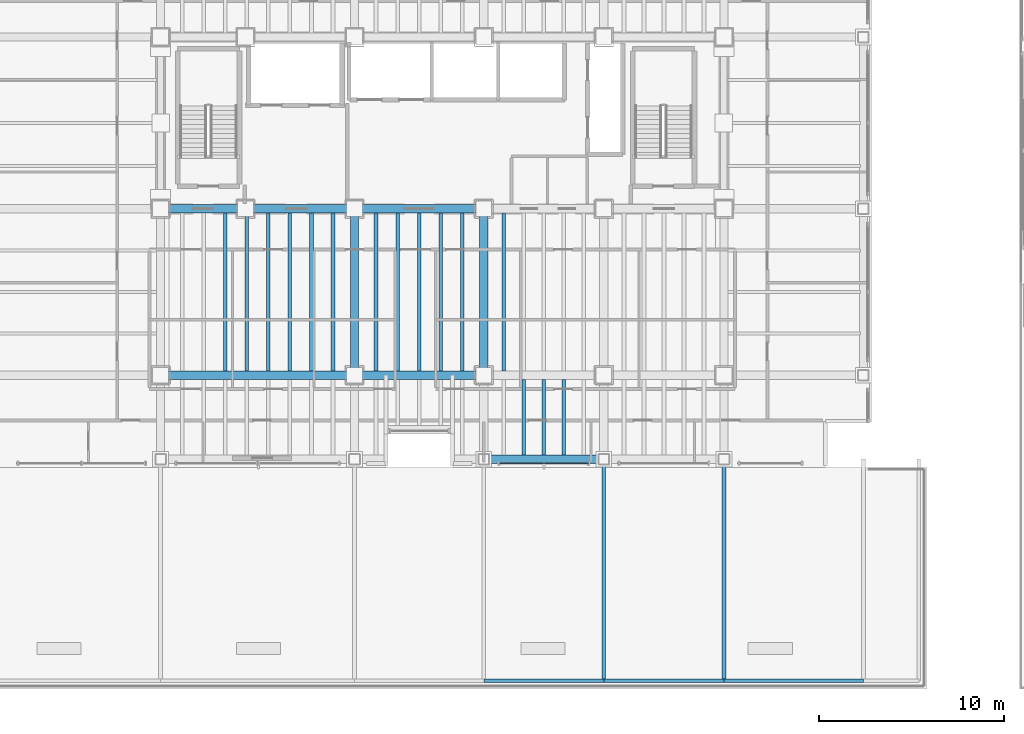
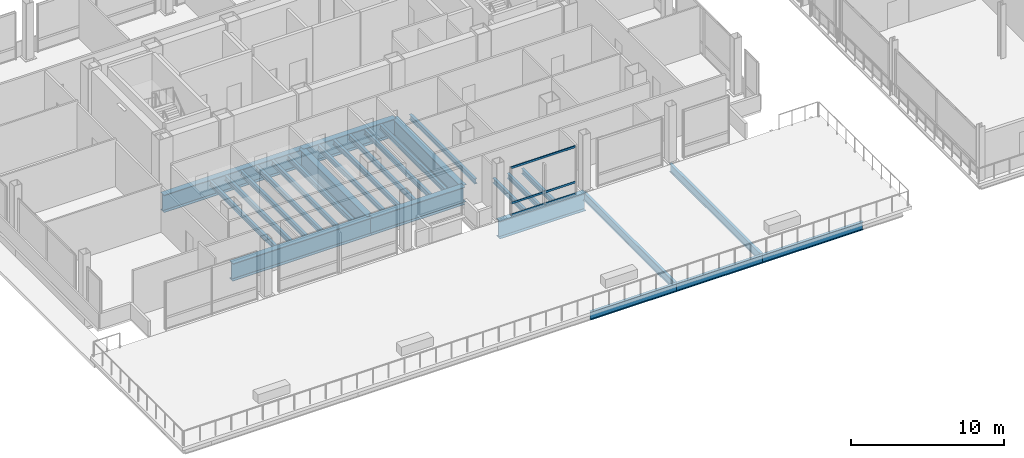
# One storey, part 10 of 34: 27 beams, 3 members, 1 element without a shape of its own.
"""IFC4 building model written with IfcOpenShell, lengths in metres."""

from ifc_helpers import new_model, si_unit, direction, frame, origin, origin_2d, place, context, subcontext, project, spatial, hollow_rectangle, i_section, extrude, material, material_profile, profile_set, type_object, element, aggregate, save


model = new_model("IFC4")

# Units and contexts
model_context = context("Model", 3, precision=1e-05, world=origin(), true_north=direction((0.0, 1.0)))
body_context = subcontext(model_context, "Body", "Model", "MODEL_VIEW")
ifc_project = project(units=[si_unit("LENGTHUNIT", "METRE"), si_unit("AREAUNIT", "SQUARE_METRE"), si_unit("VOLUMEUNIT", "CUBIC_METRE"), si_unit("PLANEANGLEUNIT", "RADIAN"), si_unit("MASSUNIT", "GRAM", prefix="KILO")], contexts=[model_context])

# Site, building, storey
site_placement = place(None, origin())
site = spatial("IfcSite", under=ifc_project, at=site_placement, CompositionType="ELEMENT")
building_placement = place(site_placement, origin())
building = spatial("IfcBuilding", under=site, at=building_placement, Name="Noeulbin Bourse Tower", CompositionType="ELEMENT")
storey_placement = place(building_placement, frame((0.0, 0.0, 22.0)))
storey = spatial("IfcBuildingStorey", under=building, at=storey_placement, Name="L05", CompositionType="ELEMENT", Elevation=22.0)

# Beams
ifc_material_1 = material(Name="Steel S355", Category="steel")
ifc_material_profile_1 = material_profile(ifc_material_1, i_section(OverallWidth=0.199951171875, OverallDepth=0.64990234375, WebThickness=0.010986328125, FlangeThickness=0.01904296875, FilletRadius=0.02197265625, at=origin_2d()), Name="H-650x200x11x19", Category="LoadBearing")
ifc_profile_set_1 = profile_set([ifc_material_profile_1], Name="Steel S355")
beam_type_1 = type_object("IfcBeamType", Name="BM-GRD-650", PredefinedType="USERDEFINED", material=ifc_profile_set_1)
for number, where, z_axis, x_axis, name in (
    (1, (31.0, 3.449951171875, -0.574951171875), (1.0, 0.0, 0.0), (0.0, 1.0, 0.0), "BM-L05-PTER-EW5"),
    (2, (37.5, 3.449951171875, -0.574951171875), (1.0, 0.0, 0.0), (0.0, 1.0, 0.0), "BM-L05-PTER-EW6"),
):
    element("IfcBeam", number, at=place(storey_placement, frame(where, z_axis=z_axis, x_axis=x_axis)), inside=storey, type_object=beam_type_1, Name=name, ObjectType="GIRDER", PredefinedType="USERDEFINED", context=body_context, shape_type="SweptSolid", body=[
        extrude(i_section(OverallWidth=0.199951171875, OverallDepth=0.64990234375, WebThickness=0.010986328125, FlangeThickness=0.01904296875, FilletRadius=0.02197265625, at=origin_2d()), origin(), (0.0, 0.0, 1.0), 6.5),
    ])
beam_1_placement = place(storey_placement, frame((44.0, 3.449951171875, -0.574951171875), z_axis=(1.0, 0.0, 0.0), x_axis=(0.0, 1.0, 0.0)))
element("IfcBeam", 3, at=beam_1_placement, inside=storey, type_object=beam_type_1, Name="BM-L05-PTER-EW7", ObjectType="GIRDER", PredefinedType="USERDEFINED", context=body_context, shape_type="SweptSolid", body=[
    extrude(i_section(OverallWidth=0.199951171875, OverallDepth=0.64990234375, WebThickness=0.010986328125, FlangeThickness=0.01904296875, FilletRadius=0.02197265625, at=origin_2d()), origin(), (0.0, 0.0, 1.0), 7.550048828125),
])
for number, where, z_axis, x_axis, name in (
    (4, (37.5, 3.449951171875, -0.574951171875), (0.0, 1.0, 0.0), (-1.0, 0.0, 0.0), "BM-L05-PTER-NS6"),
    (5, (44.0, 3.449951171875, -0.574951171875), (0.0, 1.0, 0.0), (-1.0, 0.0, 0.0), "BM-L05-PTER-NS7"),
):
    element("IfcBeam", number, at=place(storey_placement, frame(where, z_axis=z_axis, x_axis=x_axis)), inside=storey, type_object=beam_type_1, Name=name, ObjectType="GIRDER", PredefinedType="USERDEFINED", context=body_context, shape_type="SweptSolid", body=[
        extrude(i_section(OverallWidth=0.199951171875, OverallDepth=0.64990234375, WebThickness=0.010986328125, FlangeThickness=0.01904296875, FilletRadius=0.02197265625, at=origin_2d()), origin(), (0.0, 0.0, 1.0), 12.0),
    ])
ifc_material_profile_2 = material_profile(ifc_material_1, i_section(OverallWidth=0.199951171875, OverallDepth=0.39990234375, WebThickness=0.008056640625, FlangeThickness=0.012939453125, FilletRadius=0.01611328125, at=origin_2d()), Name="H-400x200x8x13", Category="LoadBearing")
ifc_profile_set_2 = profile_set([ifc_material_profile_2], Name="Steel S355")
beam_type_2 = type_object("IfcBeamType", Name="BM-SEC-400", PredefinedType="BEAM", material=ifc_profile_set_2)
for number, where, z_axis, x_axis, name in (
    (6, (17.0, 20.22509765625, -0.43994140625), (0.0, 1.0, 0.0), (-1.0, 0.0, 0.0), "Tower Composite Joist L05-08"),
    (7, (18.166748046875, 20.22509765625, -0.43994140625), (0.0, 1.0, 0.0), (-1.0, 0.0, 0.0), "Tower Composite Joist L05-11"),
    (8, (19.333251953125, 20.22509765625, -0.43994140625), (0.0, 1.0, 0.0), (-1.0, 0.0, 0.0), "Tower Composite Joist L05-14"),
    (9, (20.5, 20.22509765625, -0.43994140625), (0.0, 1.0, 0.0), (-1.0, 0.0, 0.0), "Tower Composite Joist L05-17"),
    (10, (21.666748046875, 20.22509765625, -0.43994140625), (0.0, 1.0, 0.0), (-1.0, 0.0, 0.0), "Tower Composite Joist L05-20"),
    (11, (22.833251953125, 20.22509765625, -0.43994140625), (0.0, 1.0, 0.0), (-1.0, 0.0, 0.0), "Tower Composite Joist L05-23"),
    (12, (25.166748046875, 20.22509765625, -0.43994140625), (0.0, 1.0, 0.0), (-1.0, 0.0, 0.0), "Tower Composite Joist L05-26"),
    (13, (26.333251953125, 20.22509765625, -0.43994140625), (0.0, 1.0, 0.0), (-1.0, 0.0, 0.0), "Tower Composite Joist L05-29"),
    (14, (27.5, 20.22509765625, -0.43994140625), (0.0, 1.0, 0.0), (-1.0, 0.0, 0.0), "Tower Composite Joist L05-32"),
    (15, (28.666748046875, 20.22509765625, -0.43994140625), (0.0, 1.0, 0.0), (-1.0, 0.0, 0.0), "Tower Composite Joist L05-35"),
    (16, (29.833251953125, 20.22509765625, -0.43994140625), (0.0, 1.0, 0.0), (-1.0, 0.0, 0.0), "Tower Composite Joist L05-38"),
    (17, (32.083251953125, 20.22509765625, -0.43994140625), (0.0, 1.0, 0.0), (-1.0, 0.0, 0.0), "Tower Composite Joist L05-41"),
):
    element("IfcBeam", number, at=place(storey_placement, frame(where, z_axis=z_axis, x_axis=x_axis)), inside=storey, type_object=beam_type_2, Name=name, PredefinedType="BEAM", context=body_context, shape_type="SweptSolid", body=[
        extrude(i_section(OverallWidth=0.199951171875, OverallDepth=0.39990234375, WebThickness=0.008056640625, FlangeThickness=0.012939453125, FilletRadius=0.01611328125, at=origin_2d()), origin(), (0.0, 0.0, 1.0), 8.5498046875),
    ])
for number, where, z_axis, x_axis, name in (
    (18, (33.166748046875, 15.675048828125, -0.43994140625), (0.0, 1.0, 0.0), (-1.0, 0.0, 0.0), "Tower Composite Joist L05-43"),
    (19, (34.25, 15.675048828125, -0.43994140625), (0.0, 1.0, 0.0), (-1.0, 0.0, 0.0), "Tower Composite Joist L05-46"),
    (20, (35.333251953125, 15.675048828125, -0.43994140625), (0.0, 1.0, 0.0), (-1.0, 0.0, 0.0), "Tower Composite Joist L05-49"),
):
    element("IfcBeam", number, at=place(storey_placement, frame(where, z_axis=z_axis, x_axis=x_axis)), inside=storey, type_object=beam_type_2, Name=name, PredefinedType="BEAM", context=body_context, shape_type="SweptSolid", body=[
        extrude(i_section(OverallWidth=0.199951171875, OverallDepth=0.39990234375, WebThickness=0.008056640625, FlangeThickness=0.012939453125, FilletRadius=0.01611328125, at=origin_2d()), origin(), (0.0, 0.0, 1.0), 4.099853515625),
    ])
ifc_material_2 = material(Name="Steel S460", Category="steel")
ifc_material_profile_3 = material_profile(ifc_material_2, i_section(OverallWidth=0.449951171875, OverallDepth=1.39990234375, WebThickness=0.02392578125, FlangeThickness=0.0400390625, FilletRadius=0.02392578125, at=origin_2d()), Name="PG-1400x450x24x40", Category="LoadBearing")
ifc_profile_set_3 = profile_set([ifc_material_profile_3], Name="Steel S460")
beam_type_3 = type_object("IfcBeamType", Name="BM-TRF-1400", PredefinedType="USERDEFINED", material=ifc_profile_set_3)
beam_2_placement = place(storey_placement, frame((13.5, 20.0, -0.93994140625), z_axis=(1.0, 0.0, 0.0), x_axis=(0.0, 1.0, 0.0)))
element("IfcBeam", 21, at=beam_2_placement, inside=storey, type_object=beam_type_3, Name="Tower Primary Girder EW L05-1.2", ObjectType="GIRDER", PredefinedType="USERDEFINED", context=body_context, shape_type="SweptSolid", body=[
    extrude(i_section(OverallWidth=0.449951171875, OverallDepth=1.39990234375, WebThickness=0.02392578125, FlangeThickness=0.0400390625, FilletRadius=0.02392578125, at=origin_2d()), origin(), (0.0, 0.0, 1.0), 10.5),
])
beam_3_placement = place(storey_placement, frame((24.0, 20.0, -0.93994140625), z_axis=(1.0, 0.0, 0.0), x_axis=(0.0, 1.0, 0.0)))
element("IfcBeam", 22, at=beam_3_placement, inside=storey, type_object=beam_type_3, Name="Tower Primary Girder EW L05-1.3", ObjectType="GIRDER", PredefinedType="USERDEFINED", context=body_context, shape_type="SweptSolid", body=[
    extrude(i_section(OverallWidth=0.449951171875, OverallDepth=1.39990234375, WebThickness=0.02392578125, FlangeThickness=0.0400390625, FilletRadius=0.02392578125, at=origin_2d()), origin(), (0.0, 0.0, 1.0), 7.0),
])
beam_4_placement = place(storey_placement, frame((13.5, 29.0, -0.93994140625), z_axis=(1.0, 0.0, 0.0), x_axis=(0.0, 1.0, 0.0)))
element("IfcBeam", 23, at=beam_4_placement, inside=storey, type_object=beam_type_3, Name="Tower Primary Girder EW L05-2.2", ObjectType="GIRDER", PredefinedType="USERDEFINED", context=body_context, shape_type="SweptSolid", body=[
    extrude(i_section(OverallWidth=0.449951171875, OverallDepth=1.39990234375, WebThickness=0.02392578125, FlangeThickness=0.0400390625, FilletRadius=0.02392578125, at=origin_2d()), origin(), (0.0, 0.0, 1.0), 10.5),
])
beam_5_placement = place(storey_placement, frame((24.0, 29.0, -0.93994140625), z_axis=(1.0, 0.0, 0.0), x_axis=(0.0, 1.0, 0.0)))
element("IfcBeam", 24, at=beam_5_placement, inside=storey, type_object=beam_type_3, Name="Tower Primary Girder EW L05-2.3", ObjectType="GIRDER", PredefinedType="USERDEFINED", context=body_context, shape_type="SweptSolid", body=[
    extrude(i_section(OverallWidth=0.449951171875, OverallDepth=1.39990234375, WebThickness=0.02392578125, FlangeThickness=0.0400390625, FilletRadius=0.02392578125, at=origin_2d()), origin(), (0.0, 0.0, 1.0), 7.0),
])
for number, where, z_axis, x_axis, name in (
    (25, (24.0, 20.0, -0.93994140625), (0.0, 1.0, 0.0), (-1.0, 0.0, 0.0), "Tower Primary Girder NS L05-2.2"),
    (26, (31.0, 20.0, -0.93994140625), (0.0, 1.0, 0.0), (-1.0, 0.0, 0.0), "Tower Primary Girder NS L05-3.2"),
):
    element("IfcBeam", number, at=place(storey_placement, frame(where, z_axis=z_axis, x_axis=x_axis)), inside=storey, type_object=beam_type_3, Name=name, ObjectType="GIRDER", PredefinedType="USERDEFINED", context=body_context, shape_type="SweptSolid", body=[
        extrude(i_section(OverallWidth=0.449951171875, OverallDepth=1.39990234375, WebThickness=0.02392578125, FlangeThickness=0.0400390625, FilletRadius=0.02392578125, at=origin_2d()), origin(), (0.0, 0.0, 1.0), 9.0),
    ])
beam_6_placement = place(storey_placement, frame((31.0, 15.449951171875, -0.93994140625), z_axis=(1.0, 0.0, 0.0), x_axis=(0.0, 1.0, 0.0)))
element("IfcBeam", 27, at=beam_6_placement, inside=storey, type_object=beam_type_3, Name="South Spandrel L05-3", ObjectType="GIRDER", PredefinedType="USERDEFINED", context=body_context, shape_type="SweptSolid", body=[
    extrude(i_section(OverallWidth=0.449951171875, OverallDepth=1.39990234375, WebThickness=0.02392578125, FlangeThickness=0.0400390625, FilletRadius=0.02392578125, at=origin_2d()), origin(), (0.0, 0.0, 1.0), 6.5),
])

# Curtain wall, members
ifc_material_3 = material(Name="Dark Solar-Control Double Glazing", Category="glass")
curtain_wall_type = type_object("IfcCurtainWallType", Name="CW-SYS-2", PredefinedType="NOTDEFINED", material=ifc_material_3)
curtain_wall_placement = place(storey_placement, origin())
curtain_wall = element("IfcCurtainWall", 28, at=curtain_wall_placement, inside=storey, type_object=curtain_wall_type, Name="Unitised Curtain Wall CW-L05-S2-S1", PredefinedType="NOTDEFINED")
ifc_material_4 = material(Name="Anodised Aluminium 6063-T6", Category="aluminium")
ifc_material_profile_4 = material_profile(ifc_material_4, hollow_rectangle(XDim=0.074951171875, YDim=0.159912109375, WallThickness=0.0048828125, InnerFilletRadius=0.00244140625, OuterFilletRadius=0.0048828125, at=origin_2d()), Name="ALU-TRAN-75x160x5", Category="LoadBearing")
ifc_profile_set_4 = profile_set([ifc_material_profile_4], Name="Anodised Aluminium 6063-T6")
member_type = type_object("IfcMemberType", Name="CW-SYS-2-TRN", PredefinedType="USERDEFINED", material=ifc_profile_set_4)
member_1_placement = place(storey_placement, frame((31.8349609375, 15.219970703125, 0.010009765625), z_axis=(1.0, 0.0, 0.0), x_axis=(0.0, 1.0, 0.0)))
member_1 = element("IfcMember", 29, at=member_1_placement, type_object=member_type, Name="Curtain Wall Transom CW-L05-S2-S1-T00", ObjectType="TRANSOM", PredefinedType="USERDEFINED", context=body_context, shape_type="SweptSolid", body=[
    extrude(hollow_rectangle(XDim=0.074951171875, YDim=0.159912109375, WallThickness=0.0048828125, InnerFilletRadius=0.00244140625, OuterFilletRadius=0.0048828125, at=origin_2d()), origin(), (0.0, 0.0, 1.0), 4.830078125),
])
member_2_placement = place(storey_placement, frame((31.8349609375, 15.219970703125, 0.949951171875), z_axis=(1.0, 0.0, 0.0), x_axis=(0.0, 1.0, 0.0)))
member_2 = element("IfcMember", 30, at=member_2_placement, type_object=member_type, Name="Curtain Wall Transom CW-L05-S2-S1-T01", ObjectType="TRANSOM", PredefinedType="USERDEFINED", context=body_context, shape_type="SweptSolid", body=[
    extrude(hollow_rectangle(XDim=0.074951171875, YDim=0.159912109375, WallThickness=0.0048828125, InnerFilletRadius=0.00244140625, OuterFilletRadius=0.0048828125, at=origin_2d()), origin(), (0.0, 0.0, 1.0), 4.830078125),
])
member_3_placement = place(storey_placement, frame((31.8349609375, 15.219970703125, 3.77001953125), z_axis=(1.0, 0.0, 0.0), x_axis=(0.0, 1.0, 0.0)))
member_3 = element("IfcMember", 31, at=member_3_placement, type_object=member_type, Name="Curtain Wall Transom CW-L05-S2-S1-T02", ObjectType="TRANSOM", PredefinedType="USERDEFINED", context=body_context, shape_type="SweptSolid", body=[
    extrude(hollow_rectangle(XDim=0.074951171875, YDim=0.159912109375, WallThickness=0.0048828125, InnerFilletRadius=0.00244140625, OuterFilletRadius=0.0048828125, at=origin_2d()), origin(), (0.0, 0.0, 1.0), 4.830078125),
])
aggregate(curtain_wall, [member_1, member_2, member_3])

save(model, "model.ifc")
